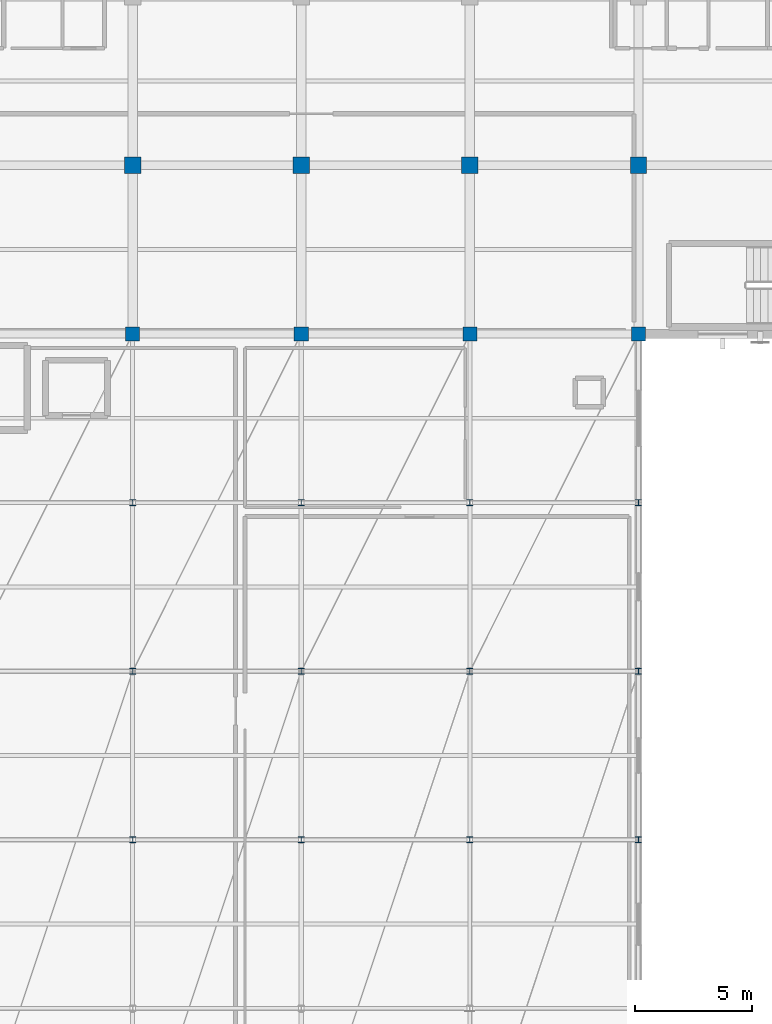
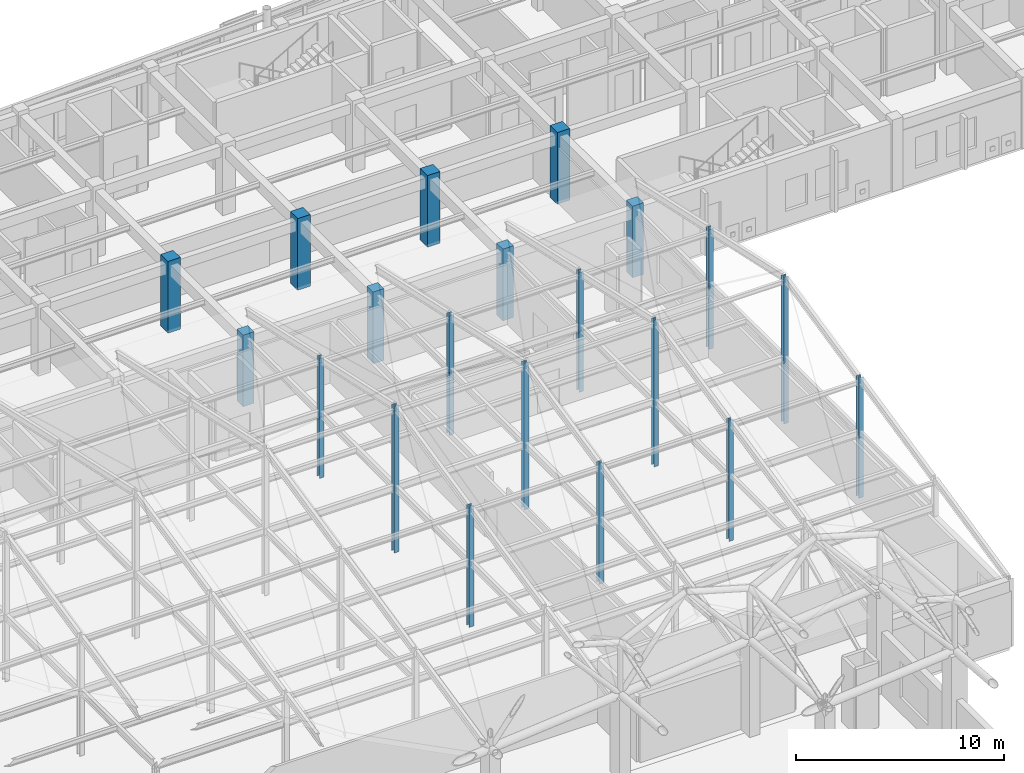
# One storey, part 7 of 113: 20 columns.
"""IFC4 building model written with IfcOpenShell, lengths in metres."""

from ifc_helpers import new_model, si_unit, direction, frame, origin, origin_2d, place, context, subcontext, project, spatial, rectangle, i_section, extrude, material, material_profile, profile_set, type_object, element, save


model = new_model("IFC4")

# Units and contexts
model_context = context("Model", 3, precision=1e-05, world=origin(), true_north=direction((0.0, 1.0)))
body_context = subcontext(model_context, "Body", "Model", "MODEL_VIEW")
ifc_project = project(units=[si_unit("LENGTHUNIT", "METRE"), si_unit("AREAUNIT", "SQUARE_METRE"), si_unit("VOLUMEUNIT", "CUBIC_METRE"), si_unit("PLANEANGLEUNIT", "RADIAN"), si_unit("MASSUNIT", "GRAM", prefix="KILO")], contexts=[model_context])

# Site, building, storey
site_placement = place(None, origin())
site = spatial("IfcSite", under=ifc_project, at=site_placement, CompositionType="ELEMENT")
building_placement = place(site_placement, origin())
building = spatial("IfcBuilding", under=site, at=building_placement, Name="Carrowvane Square Congress Hotel", CompositionType="ELEMENT")
storey_placement = place(building_placement, frame((0.0, 0.0, 15.0)))
storey = spatial("IfcBuildingStorey", under=building, at=storey_placement, Name="L03", CompositionType="ELEMENT", Elevation=15.0)

# Columns
ifc_material_1 = material(Name="Concrete C40/50", Category="concrete")
ifc_material_profile_1 = material_profile(ifc_material_1, rectangle(XDim=0.60009765625, YDim=0.60009765625, at=origin_2d()), Name="RC 600x600")
ifc_profile_set_1 = profile_set([ifc_material_profile_1], Name="Concrete C40/50")
column_type_1 = type_object("IfcColumnType", Name="COL-RC-600", PredefinedType="COLUMN", material=ifc_profile_set_1)
for number, where, z_axis, x_axis, name in (
    (1, (47.60009765625, 91.800048828125, 0.0), (0.0, 0.0, 1.0), (1.0, 0.0, 0.0), "L03 column 6/N"),
    (2, (54.800048828125, 91.800048828125, 0.0), (0.0, 0.0, 1.0), (1.0, 0.0, 0.0), "L03 column 7/N"),
    (3, (62.0, 91.800048828125, 0.0), (0.0, 0.0, 1.0), (1.0, 0.0, 0.0), "L03 column 8/N"),
    (4, (69.199951171875, 91.800048828125, 0.0), (0.0, 0.0, 1.0), (1.0, 0.0, 0.0), "L03 column 9/N"),
):
    element("IfcColumn", number, at=place(storey_placement, frame(where, z_axis=z_axis, x_axis=x_axis)), inside=storey, type_object=column_type_1, Name=name, PredefinedType="COLUMN", context=body_context, shape_type="SweptSolid", body=[
        extrude(rectangle(XDim=0.60009765625, YDim=0.60009765625, at=origin_2d()), origin(), (0.0, 0.0, 1.0), 4.199951171875),
    ])
ifc_material_2 = material(Name="Concrete C40/50", Category="concrete")
ifc_material_profile_2 = material_profile(ifc_material_2, rectangle(XDim=0.699951171875, YDim=0.699951171875, at=origin_2d()), Name="RC 700x700")
ifc_profile_set_2 = profile_set([ifc_material_profile_2], Name="Concrete C40/50")
column_type_2 = type_object("IfcColumnType", Name="COL-RC-700", PredefinedType="COLUMN", material=ifc_profile_set_2)
for number, where, z_axis, x_axis, name in (
    (5, (47.60009765625, 99.0, 0.0), (0.0, 0.0, 1.0), (1.0, 0.0, 0.0), "L03 column 6/P"),
    (6, (54.800048828125, 99.0, 0.0), (0.0, 0.0, 1.0), (1.0, 0.0, 0.0), "L03 column 7/P"),
    (7, (62.0, 99.0, 0.0), (0.0, 0.0, 1.0), (1.0, 0.0, 0.0), "L03 column 8/P"),
    (8, (69.199951171875, 99.0, 0.0), (0.0, 0.0, 1.0), (1.0, 0.0, 0.0), "L03 column 9/P"),
):
    element("IfcColumn", number, at=place(storey_placement, frame(where, z_axis=z_axis, x_axis=x_axis)), inside=storey, type_object=column_type_2, Name=name, PredefinedType="COLUMN", context=body_context, shape_type="SweptSolid", body=[
        extrude(rectangle(XDim=0.699951171875, YDim=0.699951171875, at=origin_2d()), origin(), (0.0, 0.0, 1.0), 4.199951171875),
    ])
ifc_material_3 = material(Name="Steel S355", Category="steel")
ifc_material_profile_3 = material_profile(ifc_material_3, i_section(OverallWidth=0.25634765625, OverallDepth=0.26025390625, WebThickness=0.01025390625, FlangeThickness=0.017333984375, FilletRadius=0.0126953125, at=origin_2d()), Name="UKC 254x254x89")
ifc_profile_set_3 = profile_set([ifc_material_profile_3], Name="Steel S355")
column_type_3 = type_object("IfcColumnType", Name="COL-ST-UKC254", PredefinedType="COLUMN", material=ifc_profile_set_3)
column_1_placement = place(storey_placement, frame((47.60009765625, 70.199951171875, 0.0), z_axis=(0.0, 0.0, 1.0), x_axis=(1.0, 0.0, 0.0)))
element("IfcColumn", 9, at=column_1_placement, inside=storey, type_object=column_type_3, Name="L03 column 6/K", PredefinedType="COLUMN", context=body_context, shape_type="SweptSolid", body=[
    extrude(i_section(OverallWidth=0.25634765625, OverallDepth=0.26025390625, WebThickness=0.01025390625, FlangeThickness=0.017333984375, FilletRadius=0.0126953125, at=origin_2d()), origin(), (0.0, 0.0, 1.0), 7.040771484375),
])
column_2_placement = place(storey_placement, frame((47.60009765625, 77.39990234375, 0.0), z_axis=(0.0, 0.0, 1.0), x_axis=(1.0, 0.0, 0.0)))
element("IfcColumn", 10, at=column_2_placement, inside=storey, type_object=column_type_3, Name="L03 column 6/L", PredefinedType="COLUMN", context=body_context, shape_type="SweptSolid", body=[
    extrude(i_section(OverallWidth=0.25634765625, OverallDepth=0.26025390625, WebThickness=0.01025390625, FlangeThickness=0.017333984375, FilletRadius=0.0126953125, at=origin_2d()), origin(), (0.0, 0.0, 1.0), 8.5712890625),
])
for number, where, z_axis, x_axis, name in (
    (11, (47.60009765625, 84.60009765625, 0.0), (0.0, 0.0, 1.0), (1.0, 0.0, 0.0), "L03 column 6/M"),
    (12, (54.800048828125, 70.199951171875, 0.0), (0.0, 0.0, 1.0), (1.0, 0.0, 0.0), "L03 column 7/K"),
):
    element("IfcColumn", number, at=place(storey_placement, frame(where, z_axis=z_axis, x_axis=x_axis)), inside=storey, type_object=column_type_3, Name=name, PredefinedType="COLUMN", context=body_context, shape_type="SweptSolid", body=[
        extrude(i_section(OverallWidth=0.25634765625, OverallDepth=0.26025390625, WebThickness=0.01025390625, FlangeThickness=0.017333984375, FilletRadius=0.0126953125, at=origin_2d()), origin(), (0.0, 0.0, 1.0), 7.040771484375),
    ])
column_3_placement = place(storey_placement, frame((54.800048828125, 77.39990234375, 0.0), z_axis=(0.0, 0.0, 1.0), x_axis=(1.0, 0.0, 0.0)))
element("IfcColumn", 13, at=column_3_placement, inside=storey, type_object=column_type_3, Name="L03 column 7/L", PredefinedType="COLUMN", context=body_context, shape_type="SweptSolid", body=[
    extrude(i_section(OverallWidth=0.25634765625, OverallDepth=0.26025390625, WebThickness=0.01025390625, FlangeThickness=0.017333984375, FilletRadius=0.0126953125, at=origin_2d()), origin(), (0.0, 0.0, 1.0), 8.5712890625),
])
for number, where, z_axis, x_axis, name in (
    (14, (54.800048828125, 84.60009765625, 0.0), (0.0, 0.0, 1.0), (1.0, 0.0, 0.0), "L03 column 7/M"),
    (15, (62.0, 70.199951171875, 0.0), (0.0, 0.0, 1.0), (1.0, 0.0, 0.0), "L03 column 8/K"),
):
    element("IfcColumn", number, at=place(storey_placement, frame(where, z_axis=z_axis, x_axis=x_axis)), inside=storey, type_object=column_type_3, Name=name, PredefinedType="COLUMN", context=body_context, shape_type="SweptSolid", body=[
        extrude(i_section(OverallWidth=0.25634765625, OverallDepth=0.26025390625, WebThickness=0.01025390625, FlangeThickness=0.017333984375, FilletRadius=0.0126953125, at=origin_2d()), origin(), (0.0, 0.0, 1.0), 7.040771484375),
    ])
column_4_placement = place(storey_placement, frame((62.0, 77.39990234375, 0.0), z_axis=(0.0, 0.0, 1.0), x_axis=(1.0, 0.0, 0.0)))
element("IfcColumn", 16, at=column_4_placement, inside=storey, type_object=column_type_3, Name="L03 column 8/L", PredefinedType="COLUMN", context=body_context, shape_type="SweptSolid", body=[
    extrude(i_section(OverallWidth=0.25634765625, OverallDepth=0.26025390625, WebThickness=0.01025390625, FlangeThickness=0.017333984375, FilletRadius=0.0126953125, at=origin_2d()), origin(), (0.0, 0.0, 1.0), 8.5712890625),
])
for number, where, z_axis, x_axis, name in (
    (17, (62.0, 84.60009765625, 0.0), (0.0, 0.0, 1.0), (1.0, 0.0, 0.0), "L03 column 8/M"),
    (18, (69.199951171875, 70.199951171875, 0.0), (0.0, 0.0, 1.0), (1.0, 0.0, 0.0), "L03 column 9/K"),
):
    element("IfcColumn", number, at=place(storey_placement, frame(where, z_axis=z_axis, x_axis=x_axis)), inside=storey, type_object=column_type_3, Name=name, PredefinedType="COLUMN", context=body_context, shape_type="SweptSolid", body=[
        extrude(i_section(OverallWidth=0.25634765625, OverallDepth=0.26025390625, WebThickness=0.01025390625, FlangeThickness=0.017333984375, FilletRadius=0.0126953125, at=origin_2d()), origin(), (0.0, 0.0, 1.0), 7.040771484375),
    ])
column_5_placement = place(storey_placement, frame((69.199951171875, 77.39990234375, 0.0), z_axis=(0.0, 0.0, 1.0), x_axis=(1.0, 0.0, 0.0)))
element("IfcColumn", 19, at=column_5_placement, inside=storey, type_object=column_type_3, Name="L03 column 9/L", PredefinedType="COLUMN", context=body_context, shape_type="SweptSolid", body=[
    extrude(i_section(OverallWidth=0.25634765625, OverallDepth=0.26025390625, WebThickness=0.01025390625, FlangeThickness=0.017333984375, FilletRadius=0.0126953125, at=origin_2d()), origin(), (0.0, 0.0, 1.0), 8.5712890625),
])
column_6_placement = place(storey_placement, frame((69.199951171875, 84.60009765625, 0.0), z_axis=(0.0, 0.0, 1.0), x_axis=(1.0, 0.0, 0.0)))
element("IfcColumn", 20, at=column_6_placement, inside=storey, type_object=column_type_3, Name="L03 column 9/M", PredefinedType="COLUMN", context=body_context, shape_type="SweptSolid", body=[
    extrude(i_section(OverallWidth=0.25634765625, OverallDepth=0.26025390625, WebThickness=0.01025390625, FlangeThickness=0.017333984375, FilletRadius=0.0126953125, at=origin_2d()), origin(), (0.0, 0.0, 1.0), 7.040771484375),
])

save(model, "model.ifc")
